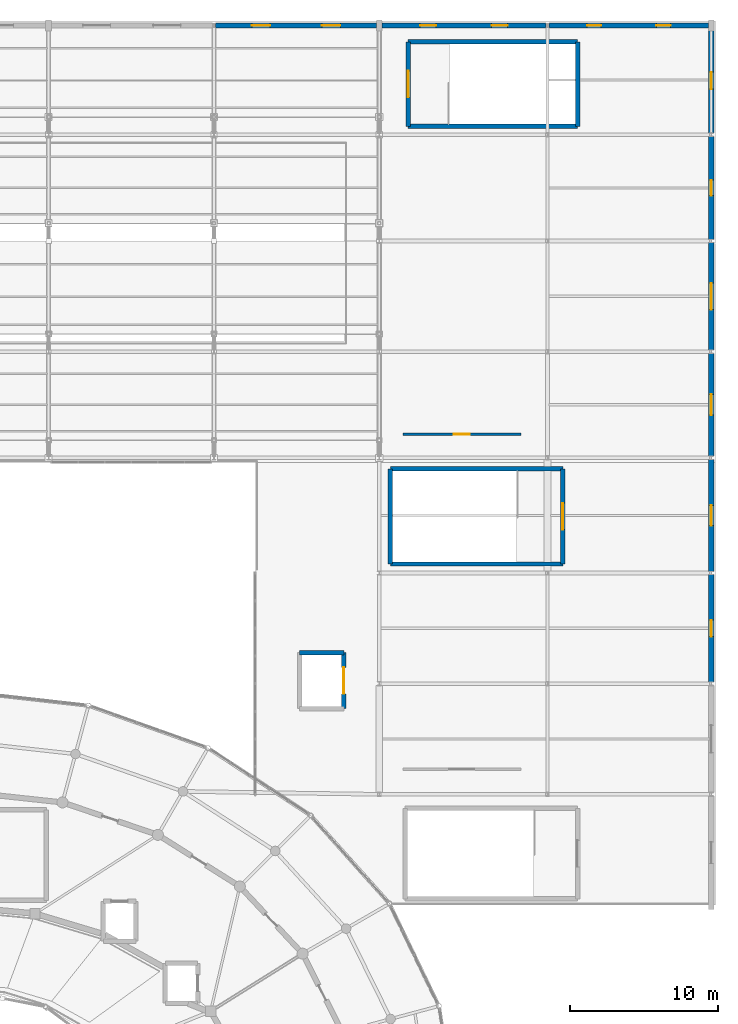
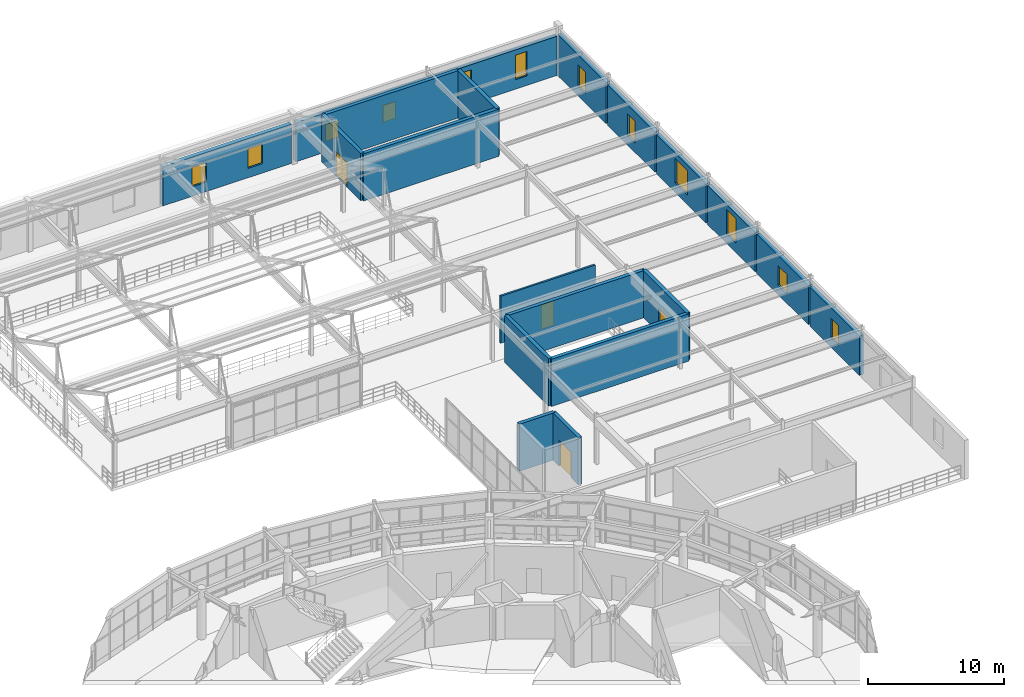
# One storey, part 91 of 112: 20 walls, 12 windows, 4 doors, 16 openings.
"""IFC4 building model written with IfcOpenShell, lengths in metres."""

from ifc_helpers import new_model, si_unit, direction, frame, frame_2d, origin, place, context, subcontext, project, spatial, rectangle, extrude, material, layer, layer_set, type_object, element, fill, save


model = new_model("IFC4")

# Units and contexts
model_context = context("Model", 3, precision=1e-05, world=origin(), true_north=direction((0.0, 1.0)))
body_context = subcontext(model_context, "Body", "Model", "MODEL_VIEW")
ifc_project = project(units=[si_unit("LENGTHUNIT", "METRE"), si_unit("AREAUNIT", "SQUARE_METRE"), si_unit("VOLUMEUNIT", "CUBIC_METRE"), si_unit("PLANEANGLEUNIT", "RADIAN"), si_unit("MASSUNIT", "GRAM", prefix="KILO")], contexts=[model_context])

# Site, building, storey
site_placement = place(None, origin())
site = spatial("IfcSite", under=ifc_project, at=site_placement, CompositionType="ELEMENT")
building_placement = place(site_placement, origin())
building = spatial("IfcBuilding", under=site, at=building_placement, Name="Cinderbank Siding Concert Hall", CompositionType="ELEMENT")
storey_placement = place(building_placement, frame((0.0, 0.0, 10.199951171875)))
storey = spatial("IfcBuildingStorey", under=building, at=storey_placement, Name="L03", CompositionType="ELEMENT", Elevation=10.199951171875)

# Wall, opening, door
ifc_material_1 = material(Name="Reinforced concrete AS 3600 N50 (50 MPa)", Category="concrete")
ifc_layer_1 = layer(ifc_material_1, 0.300048828125)
ifc_layer_set_1 = layer_set([ifc_layer_1], Name="Reinforced concrete AS 3600 N50 (50 MPa)")
wall_type_1 = type_object("IfcWallType", Name="WL-03 Structural Wall 300mm", PredefinedType="SHEAR", material=ifc_layer_set_1)
wall_1_placement = place(storey_placement, frame((152.360107421875, 111.06005859375, 0.0), z_axis=(0.0, 0.0, 1.0), x_axis=(0.0, 1.0, 0.0)))
wall_1 = element("IfcWall", 1, at=wall_1_placement, inside=storey, type_object=wall_type_1, Name="L03 ST-07 Core Wall ENTRY", PredefinedType="SHEAR", context=body_context, shape_type="SweptSolid", body=[
    extrude(rectangle(XDim=5.739990234375, YDim=0.300048828125, at=frame_2d((2.8701171875, 0.0))), origin(), (0.0, 0.0, 1.0), 4.22998046875),
])
opening_1_placement = place(wall_1_placement, frame((1.969970703125, 0.0, 0.0)))
opening_1 = element("IfcOpeningElement", 2, at=opening_1_placement, cuts=wall_1, Name="Opening D-05", PredefinedType="OPENING", context=body_context, shape_type="SweptSolid", body=[
    extrude(rectangle(XDim=1.800048828125, YDim=2.199951171875, at=frame_2d((0.89990234375, 1.10009765625))), frame((0.0, 0.162109375, 0.0), z_axis=(0.0, -1.0, 0.0), x_axis=(1.0, 0.0, 0.0)), (0.0, 0.0, 1.0), 0.323974609375),
])
ifc_material_2 = material(Name="Galvanised sheet steel acoustic fire door assembly", Category="steel")
door_type_1 = type_object("IfcDoorType", Name="D-05 Interior Door 1800x2200", OperationType="DOUBLE_DOOR_SINGLE_SWING", PredefinedType="DOOR", material=ifc_material_2)
door_1_placement = place(opening_1_placement, origin())
door_1 = element("IfcDoor", 3, at=door_1_placement, inside=storey, type_object=door_type_1, Name="L03 ST-07 Fire Stair Door L03-D042", OperationType="DOUBLE_DOOR_SINGLE_SWING", OverallHeight=2.199951171875, OverallWidth=1.800048828125, PredefinedType="DOOR", context=body_context, shape_type="SweptSolid", body=[
    extrude(rectangle(XDim=1.800048828125, YDim=2.199951171875, at=frame_2d((0.89990234375, 1.10009765625))), frame((0.0, 0.02490234375, 0.0), z_axis=(0.0, -1.0, 0.0), x_axis=(1.0, 0.0, 0.0)), (0.0, 0.0, 1.0), 0.050048828125),
])
fill(opening_1, door_1)

# Walls
wall_2_placement = place(storey_placement, frame((163.840087890625, 116.800048828125, 0.0), z_axis=(0.0, 0.0, 1.0), x_axis=(0.0, -1.0, 0.0)))
element("IfcWall", 4, at=wall_2_placement, inside=storey, type_object=wall_type_1, Name="L03 ST-07 Core Wall FAR", PredefinedType="SHEAR", context=body_context, shape_type="SweptSolid", body=[
    extrude(rectangle(XDim=5.739990234375, YDim=0.300048828125, at=frame_2d((2.8701171875, 0.0))), origin(), (0.0, 0.0, 1.0), 4.22998046875),
])
for number, where, z_axis, x_axis, name in (
    (5, (163.840087890625, 111.06005859375, 0.0), (0.0, 0.0, 1.0), (-1.0, 0.0, 0.0), "L03 ST-07 Core Wall SIDE1"),
    (6, (152.360107421875, 116.800048828125, 0.0), (0.0, 0.0, 1.0), (1.0, 0.0, 0.0), "L03 ST-07 Core Wall SIDE2"),
):
    element("IfcWall", number, at=place(storey_placement, frame(where, z_axis=z_axis, x_axis=x_axis)), inside=storey, type_object=wall_type_1, Name=name, PredefinedType="SHEAR", context=body_context, shape_type="SweptSolid", body=[
        extrude(rectangle(XDim=11.47998046875, YDim=0.300048828125, at=frame_2d((5.739990234375, 0.0))), origin(), (0.0, 0.0, 1.0), 4.22998046875),
    ])

# Wall, opening, door
wall_3_placement = place(storey_placement, frame((162.840087890625, 87.85009765625, 0.0), z_axis=(0.0, 0.0, 1.0), x_axis=(0.0, -1.0, 0.0)))
wall_3 = element("IfcWall", 7, at=wall_3_placement, inside=storey, type_object=wall_type_1, Name="L03 ST-11 Core Wall ENTRY", PredefinedType="SHEAR", context=body_context, shape_type="SweptSolid", body=[
    extrude(rectangle(XDim=6.440185546875, YDim=0.300048828125, at=frame_2d((3.22021484375, 0.0))), origin(), (0.0, 0.0, 1.0), 4.22998046875),
])
opening_2_placement = place(wall_3_placement, frame((2.320068359375, 0.0, 0.0)))
opening_2 = element("IfcOpeningElement", 8, at=opening_2_placement, cuts=wall_3, Name="Opening D-05", PredefinedType="OPENING", context=body_context, shape_type="SweptSolid", body=[
    extrude(rectangle(XDim=1.800048828125, YDim=2.199951171875, at=frame_2d((0.89990234375, 1.10009765625))), frame((0.0, 0.162109375, 0.0), z_axis=(0.0, -1.0, 0.0), x_axis=(1.0, 0.0, 0.0)), (0.0, 0.0, 1.0), 0.323974609375),
])
door_2_placement = place(opening_2_placement, origin())
door_2 = element("IfcDoor", 9, at=door_2_placement, inside=storey, type_object=door_type_1, Name="L03 ST-11 Fire Stair Door L03-D057", OperationType="DOUBLE_DOOR_SINGLE_SWING", OverallHeight=2.199951171875, OverallWidth=1.800048828125, PredefinedType="DOOR", context=body_context, shape_type="SweptSolid", body=[
    extrude(rectangle(XDim=1.800048828125, YDim=2.199951171875, at=frame_2d((0.89990234375, 1.10009765625))), frame((0.0, 0.02490234375, 0.0), z_axis=(0.0, -1.0, 0.0), x_axis=(1.0, 0.0, 0.0)), (0.0, 0.0, 1.0), 0.050048828125),
])
fill(opening_2, door_2)

# Walls
wall_4_placement = place(storey_placement, frame((151.159912109375, 81.409912109375, 0.0), z_axis=(0.0, 0.0, 1.0), x_axis=(0.0, 1.0, 0.0)))
element("IfcWall", 10, at=wall_4_placement, inside=storey, type_object=wall_type_1, Name="L03 ST-11 Core Wall FAR", PredefinedType="SHEAR", context=body_context, shape_type="SweptSolid", body=[
    extrude(rectangle(XDim=6.440185546875, YDim=0.300048828125, at=frame_2d((3.22021484375, 0.0))), origin(), (0.0, 0.0, 1.0), 4.22998046875),
])
for number, where, z_axis, x_axis, name in (
    (11, (151.159912109375, 87.85009765625, 0.0), (0.0, 0.0, 1.0), (1.0, 0.0, 0.0), "L03 ST-11 Core Wall SIDE1"),
    (12, (162.840087890625, 81.409912109375, 0.0), (0.0, 0.0, 1.0), (-1.0, 0.0, 0.0), "L03 ST-11 Core Wall SIDE2"),
):
    element("IfcWall", number, at=place(storey_placement, frame(where, z_axis=z_axis, x_axis=x_axis)), inside=storey, type_object=wall_type_1, Name=name, PredefinedType="SHEAR", context=body_context, shape_type="SweptSolid", body=[
        extrude(rectangle(XDim=11.68017578125, YDim=0.300048828125, at=frame_2d((5.840087890625, 0.0))), origin(), (0.0, 0.0, 1.0), 4.22998046875),
    ])

# Wall, opening, door
wall_5_placement = place(storey_placement, frame((148.0, 75.39990234375, 0.0), z_axis=(0.0, 0.0, 1.0), x_axis=(0.0, -1.0, 0.0)))
wall_5 = element("IfcWall", 13, at=wall_5_placement, inside=storey, type_object=wall_type_1, Name="L03 LF-08 Shaft Wall +X", PredefinedType="SHEAR", context=body_context, shape_type="SweptSolid", body=[
    extrude(rectangle(XDim=3.7998046875, YDim=0.300048828125, at=frame_2d((1.89990234375, 0.0))), origin(), (0.0, 0.0, 1.0), 4.22998046875),
])
opening_3_placement = place(wall_5_placement, frame((1.0, 0.0, 0.0)))
opening_3 = element("IfcOpeningElement", 14, at=opening_3_placement, cuts=wall_5, Name="Opening LD-03", PredefinedType="OPENING", context=body_context, shape_type="SweptSolid", body=[
    extrude(rectangle(XDim=1.800048828125, YDim=2.300048828125, at=frame_2d((0.89990234375, 1.14990234375))), frame((0.0, 0.162109375, 0.0), z_axis=(0.0, -1.0, 0.0), x_axis=(1.0, 0.0, 0.0)), (0.0, 0.0, 1.0), 0.323974609375),
])
door_type_2 = type_object("IfcDoorType", Name="LD-03 Interior Door 1800x2300", OperationType="DOUBLE_DOOR_SLIDING", PredefinedType="DOOR", material=ifc_material_2)
door_3_placement = place(opening_3_placement, origin())
door_3 = element("IfcDoor", 15, at=door_3_placement, inside=storey, type_object=door_type_2, Name="L03 LF-08 Sliding Landing Door", OperationType="DOUBLE_DOOR_SLIDING", OverallHeight=2.300048828125, OverallWidth=1.800048828125, PredefinedType="DOOR", context=body_context, shape_type="SweptSolid", body=[
    extrude(rectangle(XDim=1.800048828125, YDim=2.300048828125, at=frame_2d((0.89990234375, 1.14990234375))), frame((0.0, 0.02490234375, 0.0), z_axis=(0.0, -1.0, 0.0), x_axis=(1.0, 0.0, 0.0)), (0.0, 0.0, 1.0), 0.050048828125),
])
fill(opening_3, door_3)

# Wall
wall_6_placement = place(storey_placement, frame((145.0, 75.39990234375, 0.0), z_axis=(0.0, 0.0, 1.0), x_axis=(1.0, 0.0, 0.0)))
element("IfcWall", 16, at=wall_6_placement, inside=storey, type_object=wall_type_1, Name="L03 LF-08 Shaft Wall +Y", PredefinedType="SHEAR", context=body_context, shape_type="SweptSolid", body=[
    extrude(rectangle(XDim=3.0, YDim=0.300048828125, at=frame_2d((1.5, 0.0))), origin(), (0.0, 0.0, 1.0), 4.22998046875),
])

# Wall, openings, windows
ifc_material_3 = material(Name="Clinker clay brickwork masonry AS 3700 (20 MPa)", Category="masonry")
ifc_layer_2 = layer(ifc_material_3, 0.340087890625)
ifc_layer_set_2 = layer_set([ifc_layer_2], Name="Clinker clay brickwork masonry AS 3700 (20 MPa)")
wall_type_2 = type_object("IfcWallType", Name="WL-07 Exterior Wall 340mm", PredefinedType="STANDARD", material=ifc_layer_set_2)
wall_7_placement = place(storey_placement, frame((139.31298828125, 117.89990234375, 0.0), z_axis=(0.0, 0.0, 1.0), x_axis=(1.0, 0.0, 0.0)))
wall_7 = element("IfcWall", 17, at=wall_7_placement, inside=storey, type_object=wall_type_2, Name="L03 Facade Wall EW-V3-N3-L03", PredefinedType="STANDARD", context=body_context, shape_type="SweptSolid", body=[
    extrude(rectangle(XDim=10.902099609375, YDim=0.340087890625, at=frame_2d((5.451171875, 0.0))), origin(), (0.0, 0.0, 1.0), 3.51708984375),
])
opening_4_placement = place(wall_7_placement, frame((2.45556640625, 0.0, 0.85009765625)))
opening_4 = element("IfcOpeningElement", 18, at=opening_4_placement, cuts=wall_7, Name="Opening WN-20", PredefinedType="OPENING", context=body_context, shape_type="SweptSolid", body=[
    extrude(rectangle(XDim=1.239990234375, YDim=1.75, at=frame_2d((0.6201171875, 0.875))), frame((0.0, 0.18212890625, 0.0), z_axis=(0.0, -1.0, 0.0), x_axis=(1.0, 0.0, 0.0)), (0.0, 0.0, 1.0), 0.364013671875),
])
opening_5_placement = place(wall_7_placement, frame((7.20654296875, 0.0, 0.85009765625)))
opening_5 = element("IfcOpeningElement", 19, at=opening_5_placement, cuts=wall_7, Name="Opening WN-20", PredefinedType="OPENING", context=body_context, shape_type="SweptSolid", body=[
    extrude(rectangle(XDim=1.239990234375, YDim=1.75, at=frame_2d((0.6201171875, 0.875))), frame((0.0, 0.18212890625, 0.0), z_axis=(0.0, -1.0, 0.0), x_axis=(1.0, 0.0, 0.0)), (0.0, 0.0, 1.0), 0.364013671875),
])
ifc_material_4 = material(Name="Double-glazed laminated acoustic glass", Category="glass")
window_type_1 = type_object("IfcWindowType", Name="WN-20 Acoustic Casement Window 1240x1750", PartitioningType="DOUBLE_PANEL_VERTICAL", PredefinedType="WINDOW", material=ifc_material_4)
window_1_placement = place(opening_4_placement, origin())
window_1 = element("IfcWindow", 20, at=window_1_placement, inside=storey, type_object=window_type_1, Name="L03 Facade Window #158", OverallHeight=1.75, OverallWidth=1.239990234375, PartitioningType="DOUBLE_PANEL_VERTICAL", PredefinedType="WINDOW", context=body_context, shape_type="SweptSolid", body=[
    extrude(rectangle(XDim=1.239990234375, YDim=1.75, at=frame_2d((0.6201171875, 0.875))), frame((0.0, 0.030029296875, 0.0), z_axis=(0.0, -1.0, 0.0), x_axis=(1.0, 0.0, 0.0)), (0.0, 0.0, 1.0), 0.06005859375),
])
fill(opening_4, window_1)
window_2_placement = place(opening_5_placement, origin())
window_2 = element("IfcWindow", 21, at=window_2_placement, inside=storey, type_object=window_type_1, Name="L03 Facade Window #159", OverallHeight=1.75, OverallWidth=1.239990234375, PartitioningType="DOUBLE_PANEL_VERTICAL", PredefinedType="WINDOW", context=body_context, shape_type="SweptSolid", body=[
    extrude(rectangle(XDim=1.239990234375, YDim=1.75, at=frame_2d((0.6201171875, 0.875))), frame((0.0, 0.030029296875, 0.0), z_axis=(0.0, -1.0, 0.0), x_axis=(1.0, 0.0, 0.0)), (0.0, 0.0, 1.0), 0.06005859375),
])
fill(opening_5, window_2)

wall_8_placement = place(storey_placement, frame((150.5849609375, 117.89990234375, 0.0), z_axis=(0.0, 0.0, 1.0), x_axis=(1.0, 0.0, 0.0)))
wall_8 = element("IfcWall", 22, at=wall_8_placement, inside=storey, type_object=wall_type_2, Name="L03 Facade Wall EW-V3-N4-L03", PredefinedType="STANDARD", context=body_context, shape_type="SweptSolid", body=[
    extrude(rectangle(XDim=11.10205078125, YDim=0.340087890625, at=frame_2d((5.551025390625, 0.0))), origin(), (0.0, 0.0, 1.0), 3.51708984375),
])
opening_6_placement = place(wall_8_placement, frame((2.58544921875, 0.0, 0.85009765625)))
opening_6 = element("IfcOpeningElement", 23, at=opening_6_placement, cuts=wall_8, Name="Opening WN-26", PredefinedType="OPENING", context=body_context, shape_type="SweptSolid", body=[
    extrude(rectangle(XDim=1.080078125, YDim=1.5, at=frame_2d((0.5400390625, 0.75))), frame((0.0, 0.18212890625, 0.0), z_axis=(0.0, -1.0, 0.0), x_axis=(1.0, 0.0, 0.0)), (0.0, 0.0, 1.0), 0.364013671875),
])
opening_7_placement = place(wall_8_placement, frame((7.4365234375, 0.0, 0.85009765625)))
opening_7 = element("IfcOpeningElement", 24, at=opening_7_placement, cuts=wall_8, Name="Opening WN-26", PredefinedType="OPENING", context=body_context, shape_type="SweptSolid", body=[
    extrude(rectangle(XDim=1.080078125, YDim=1.5, at=frame_2d((0.5400390625, 0.75))), frame((0.0, 0.18212890625, 0.0), z_axis=(0.0, -1.0, 0.0), x_axis=(1.0, 0.0, 0.0)), (0.0, 0.0, 1.0), 0.364013671875),
])
window_type_2 = type_object("IfcWindowType", Name="WN-26 Acoustic Casement Window 1080x1500", PartitioningType="DOUBLE_PANEL_VERTICAL", PredefinedType="WINDOW", material=ifc_material_4)
window_3_placement = place(opening_6_placement, origin())
window_3 = element("IfcWindow", 25, at=window_3_placement, inside=storey, type_object=window_type_2, Name="L03 Facade Window #164", OverallHeight=1.5, OverallWidth=1.080078125, PartitioningType="DOUBLE_PANEL_VERTICAL", PredefinedType="WINDOW", context=body_context, shape_type="SweptSolid", body=[
    extrude(rectangle(XDim=1.080078125, YDim=1.5, at=frame_2d((0.5400390625, 0.75))), frame((0.0, 0.030029296875, 0.0), z_axis=(0.0, -1.0, 0.0), x_axis=(1.0, 0.0, 0.0)), (0.0, 0.0, 1.0), 0.06005859375),
])
fill(opening_6, window_3)
window_4_placement = place(opening_7_placement, origin())
window_4 = element("IfcWindow", 26, at=window_4_placement, inside=storey, type_object=window_type_2, Name="L03 Facade Window #165", OverallHeight=1.5, OverallWidth=1.080078125, PartitioningType="DOUBLE_PANEL_VERTICAL", PredefinedType="WINDOW", context=body_context, shape_type="SweptSolid", body=[
    extrude(rectangle(XDim=1.080078125, YDim=1.5, at=frame_2d((0.5400390625, 0.75))), frame((0.0, 0.030029296875, 0.0), z_axis=(0.0, -1.0, 0.0), x_axis=(1.0, 0.0, 0.0)), (0.0, 0.0, 1.0), 0.06005859375),
])
fill(opening_7, window_4)

wall_9_placement = place(storey_placement, frame((161.9130859375, 117.89990234375, 0.0), z_axis=(0.0, 0.0, 1.0), x_axis=(1.0, 0.0, 0.0)))
wall_9 = element("IfcWall", 27, at=wall_9_placement, inside=storey, type_object=wall_type_2, Name="L03 Facade Wall EW-V3-N5-L03", PredefinedType="STANDARD", context=body_context, shape_type="SweptSolid", body=[
    extrude(rectangle(XDim=10.802001953125, YDim=0.340087890625, at=frame_2d((5.40087890625, 0.0))), origin(), (0.0, 0.0, 1.0), 3.51708984375),
])
opening_8_placement = place(wall_9_placement, frame((2.575439453125, 0.0, 0.85009765625)))
opening_8 = element("IfcOpeningElement", 28, at=opening_8_placement, cuts=wall_9, Name="Opening WN-02", PredefinedType="OPENING", context=body_context, shape_type="SweptSolid", body=[
    extrude(rectangle(XDim=0.949951171875, YDim=2.199951171875, at=frame_2d((0.47509765625, 1.10009765625))), frame((0.0, 0.18212890625, 0.0), z_axis=(0.0, -1.0, 0.0), x_axis=(1.0, 0.0, 0.0)), (0.0, 0.0, 1.0), 0.364013671875),
])
opening_9_placement = place(wall_9_placement, frame((7.276611328125, 0.0, 0.85009765625)))
opening_9 = element("IfcOpeningElement", 29, at=opening_9_placement, cuts=wall_9, Name="Opening WN-02", PredefinedType="OPENING", context=body_context, shape_type="SweptSolid", body=[
    extrude(rectangle(XDim=0.949951171875, YDim=2.199951171875, at=frame_2d((0.47509765625, 1.10009765625))), frame((0.0, 0.18212890625, 0.0), z_axis=(0.0, -1.0, 0.0), x_axis=(1.0, 0.0, 0.0)), (0.0, 0.0, 1.0), 0.364013671875),
])
window_type_3 = type_object("IfcWindowType", Name="WN-02 Acoustic Casement Window 950x2200", PartitioningType="DOUBLE_PANEL_VERTICAL", PredefinedType="WINDOW", material=ifc_material_4)
window_5_placement = place(opening_8_placement, origin())
window_5 = element("IfcWindow", 30, at=window_5_placement, inside=storey, type_object=window_type_3, Name="L03 Facade Window #170", OverallHeight=2.199951171875, OverallWidth=0.949951171875, PartitioningType="DOUBLE_PANEL_VERTICAL", PredefinedType="WINDOW", context=body_context, shape_type="SweptSolid", body=[
    extrude(rectangle(XDim=0.949951171875, YDim=2.199951171875, at=frame_2d((0.47509765625, 1.10009765625))), frame((0.0, 0.030029296875, 0.0), z_axis=(0.0, -1.0, 0.0), x_axis=(1.0, 0.0, 0.0)), (0.0, 0.0, 1.0), 0.06005859375),
])
fill(opening_8, window_5)
window_6_placement = place(opening_9_placement, origin())
window_6 = element("IfcWindow", 31, at=window_6_placement, inside=storey, type_object=window_type_3, Name="L03 Facade Window #171", OverallHeight=2.199951171875, OverallWidth=0.949951171875, PartitioningType="DOUBLE_PANEL_VERTICAL", PredefinedType="WINDOW", context=body_context, shape_type="SweptSolid", body=[
    extrude(rectangle(XDim=0.949951171875, YDim=2.199951171875, at=frame_2d((0.47509765625, 1.10009765625))), frame((0.0, 0.030029296875, 0.0), z_axis=(0.0, -1.0, 0.0), x_axis=(1.0, 0.0, 0.0)), (0.0, 0.0, 1.0), 0.06005859375),
])
fill(opening_9, window_6)

# Wall, opening, window
wall_10_placement = place(storey_placement, frame((172.89990234375, 95.68701171875, 0.0), z_axis=(0.0, 0.0, 1.0), x_axis=(0.0, -1.0, 0.0)))
wall_10 = element("IfcWall", 32, at=wall_10_placement, inside=storey, type_object=wall_type_2, Name="L03 Facade Wall EW-V3-E1-L03", PredefinedType="STANDARD", context=body_context, shape_type="SweptSolid", body=[
    extrude(rectangle(XDim=6.97412109375, YDim=0.340087890625, at=frame_2d((3.487060546875, 0.0))), origin(), (0.0, 0.0, 1.0), 3.51708984375),
])
opening_10_placement = place(wall_10_placement, frame((2.787109375, 0.0, 0.85009765625)))
opening_10 = element("IfcOpeningElement", 33, at=opening_10_placement, cuts=wall_10, Name="Opening WN-06", PredefinedType="OPENING", context=body_context, shape_type="SweptSolid", body=[
    extrude(rectangle(XDim=1.39990234375, YDim=2.199951171875, at=frame_2d((0.699951171875, 1.10009765625))), frame((0.0, 0.18212890625, 0.0), z_axis=(0.0, -1.0, 0.0), x_axis=(1.0, 0.0, 0.0)), (0.0, 0.0, 1.0), 0.364013671875),
])
window_type_4 = type_object("IfcWindowType", Name="WN-06 Acoustic Casement Window 1400x2200", PartitioningType="DOUBLE_PANEL_VERTICAL", PredefinedType="WINDOW", material=ifc_material_4)
window_7_placement = place(opening_10_placement, origin())
window_7 = element("IfcWindow", 34, at=window_7_placement, inside=storey, type_object=window_type_4, Name="L03 Facade Window #174", OverallHeight=2.199951171875, OverallWidth=1.39990234375, PartitioningType="DOUBLE_PANEL_VERTICAL", PredefinedType="WINDOW", context=body_context, shape_type="SweptSolid", body=[
    extrude(rectangle(XDim=1.39990234375, YDim=2.199951171875, at=frame_2d((0.699951171875, 1.10009765625))), frame((0.0, 0.030029296875, 0.0), z_axis=(0.0, -1.0, 0.0), x_axis=(1.0, 0.0, 0.0)), (0.0, 0.0, 1.0), 0.06005859375),
])
fill(opening_10, window_7)

wall_11_placement = place(storey_placement, frame((172.89990234375, 103.18701171875, 0.0), z_axis=(0.0, 0.0, 1.0), x_axis=(0.0, -1.0, 0.0)))
wall_11 = element("IfcWall", 35, at=wall_11_placement, inside=storey, type_object=wall_type_2, Name="L03 Facade Wall EW-V3-E2-L03", PredefinedType="STANDARD", context=body_context, shape_type="SweptSolid", body=[
    extrude(rectangle(XDim=7.27392578125, YDim=0.340087890625, at=frame_2d((3.636962890625, 0.0))), origin(), (0.0, 0.0, 1.0), 3.51708984375),
])
opening_11_placement = place(wall_11_placement, frame((2.737060546875, 0.0, 0.85009765625)))
opening_11 = element("IfcOpeningElement", 36, at=opening_11_placement, cuts=wall_11, Name="Opening WN-08", PredefinedType="OPENING", context=body_context, shape_type="SweptSolid", body=[
    extrude(rectangle(XDim=1.800048828125, YDim=2.199951171875, at=frame_2d((0.89990234375, 1.10009765625))), frame((0.0, 0.18212890625, 0.0), z_axis=(0.0, -1.0, 0.0), x_axis=(1.0, 0.0, 0.0)), (0.0, 0.0, 1.0), 0.364013671875),
])
window_type_5 = type_object("IfcWindowType", Name="WN-08 Acoustic Casement Window 1800x2200", PartitioningType="DOUBLE_PANEL_VERTICAL", PredefinedType="WINDOW", material=ifc_material_4)
window_8_placement = place(opening_11_placement, origin())
window_8 = element("IfcWindow", 37, at=window_8_placement, inside=storey, type_object=window_type_5, Name="L03 Facade Window #176", OverallHeight=2.199951171875, OverallWidth=1.800048828125, PartitioningType="DOUBLE_PANEL_VERTICAL", PredefinedType="WINDOW", context=body_context, shape_type="SweptSolid", body=[
    extrude(rectangle(XDim=1.800048828125, YDim=2.199951171875, at=frame_2d((0.89990234375, 1.10009765625))), frame((0.0, 0.030029296875, 0.0), z_axis=(0.0, -1.0, 0.0), x_axis=(1.0, 0.0, 0.0)), (0.0, 0.0, 1.0), 0.06005859375),
])
fill(opening_11, window_8)

wall_12_placement = place(storey_placement, frame((172.89990234375, 110.386962890625, 0.0), z_axis=(0.0, 0.0, 1.0), x_axis=(0.0, -1.0, 0.0)))
wall_12 = element("IfcWall", 38, at=wall_12_placement, inside=storey, type_object=wall_type_2, Name="L03 Facade Wall EW-V3-E3-L03", PredefinedType="STANDARD", context=body_context, shape_type="SweptSolid", body=[
    extrude(rectangle(XDim=6.973876953125, YDim=0.340087890625, at=frame_2d((3.48681640625, 0.0))), origin(), (0.0, 0.0, 1.0), 3.61474609375),
])
opening_12_placement = place(wall_12_placement, frame((2.9619140625, 0.0, 0.85009765625)))
opening_12 = element("IfcOpeningElement", 39, at=opening_12_placement, cuts=wall_12, Name="Opening WN-11", PredefinedType="OPENING", context=body_context, shape_type="SweptSolid", body=[
    extrude(rectangle(XDim=1.050048828125, YDim=1.949951171875, at=frame_2d((0.52490234375, 0.97509765625))), frame((0.0, 0.18212890625, 0.0), z_axis=(0.0, -1.0, 0.0), x_axis=(1.0, 0.0, 0.0)), (0.0, 0.0, 1.0), 0.364013671875),
])
window_type_6 = type_object("IfcWindowType", Name="WN-11 Acoustic Casement Window 1050x1950", PartitioningType="DOUBLE_PANEL_VERTICAL", PredefinedType="WINDOW", material=ifc_material_4)
window_9_placement = place(opening_12_placement, origin())
window_9 = element("IfcWindow", 40, at=window_9_placement, inside=storey, type_object=window_type_6, Name="L03 Facade Window #179", OverallHeight=1.949951171875, OverallWidth=1.050048828125, PartitioningType="DOUBLE_PANEL_VERTICAL", PredefinedType="WINDOW", context=body_context, shape_type="SweptSolid", body=[
    extrude(rectangle(XDim=1.050048828125, YDim=1.949951171875, at=frame_2d((0.52490234375, 0.97509765625))), frame((0.0, 0.030029296875, 0.0), z_axis=(0.0, -1.0, 0.0), x_axis=(1.0, 0.0, 0.0)), (0.0, 0.0, 1.0), 0.06005859375),
])
fill(opening_12, window_9)

wall_13_placement = place(storey_placement, frame((172.89990234375, 117.715087890625, 0.0), z_axis=(0.0, 0.0, 1.0), x_axis=(0.0, -1.0, 0.0)))
wall_13 = element("IfcWall", 41, at=wall_13_placement, inside=storey, type_object=wall_type_2, Name="L03 Facade Wall EW-V3-E4-L03", PredefinedType="STANDARD", context=body_context, shape_type="SweptSolid", body=[
    extrude(rectangle(XDim=7.10205078125, YDim=0.340087890625, at=frame_2d((3.551025390625, 0.0))), origin(), (0.0, 0.0, 1.0), 3.68896484375),
])
opening_13_placement = place(wall_13_placement, frame((2.97607421875, 0.0, 0.85009765625)))
opening_13 = element("IfcOpeningElement", 42, at=opening_13_placement, cuts=wall_13, Name="Opening WN-12", PredefinedType="OPENING", context=body_context, shape_type="SweptSolid", body=[
    extrude(rectangle(XDim=1.14990234375, YDim=1.949951171875, at=frame_2d((0.574951171875, 0.97509765625))), frame((0.0, 0.18212890625, 0.0), z_axis=(0.0, -1.0, 0.0), x_axis=(1.0, 0.0, 0.0)), (0.0, 0.0, 1.0), 0.364013671875),
])
window_type_7 = type_object("IfcWindowType", Name="WN-12 Acoustic Casement Window 1150x1950", PartitioningType="DOUBLE_PANEL_VERTICAL", PredefinedType="WINDOW", material=ifc_material_4)
window_10_placement = place(opening_13_placement, origin())
window_10 = element("IfcWindow", 43, at=window_10_placement, inside=storey, type_object=window_type_7, Name="L03 Facade Window #180", OverallHeight=1.949951171875, OverallWidth=1.14990234375, PartitioningType="DOUBLE_PANEL_VERTICAL", PredefinedType="WINDOW", context=body_context, shape_type="SweptSolid", body=[
    extrude(rectangle(XDim=1.14990234375, YDim=1.949951171875, at=frame_2d((0.574951171875, 0.97509765625))), frame((0.0, 0.030029296875, 0.0), z_axis=(0.0, -1.0, 0.0), x_axis=(1.0, 0.0, 0.0)), (0.0, 0.0, 1.0), 0.06005859375),
])
fill(opening_13, window_10)

wall_14_placement = place(storey_placement, frame((172.89990234375, 80.68798828125, 0.0), z_axis=(0.0, 0.0, 1.0), x_axis=(0.0, -1.0, 0.0)))
wall_14 = element("IfcWall", 44, at=wall_14_placement, inside=storey, type_object=wall_type_2, Name="L03 Facade Wall EW-EL-E2-L03", PredefinedType="STANDARD", context=body_context, shape_type="SweptSolid", body=[
    extrude(rectangle(XDim=7.27587890625, YDim=0.340087890625, at=frame_2d((3.637939453125, 0.0))), origin(), (0.0, 0.0, 1.0), 3.51708984375),
])
opening_14_placement = place(wall_14_placement, frame((3.077880859375, 0.0, 0.85009765625)))
opening_14 = element("IfcOpeningElement", 45, at=opening_14_placement, cuts=wall_14, Name="Opening WN-19", PredefinedType="OPENING", context=body_context, shape_type="SweptSolid", body=[
    extrude(rectangle(XDim=1.1201171875, YDim=1.75, at=frame_2d((0.56005859375, 0.875))), frame((0.0, 0.18212890625, 0.0), z_axis=(0.0, -1.0, 0.0), x_axis=(1.0, 0.0, 0.0)), (0.0, 0.0, 1.0), 0.364013671875),
])
window_type_8 = type_object("IfcWindowType", Name="WN-19 Acoustic Casement Window 1120x1750", PartitioningType="DOUBLE_PANEL_VERTICAL", PredefinedType="WINDOW", material=ifc_material_4)
window_11_placement = place(opening_14_placement, origin())
window_11 = element("IfcWindow", 46, at=window_11_placement, inside=storey, type_object=window_type_8, Name="L03 Facade Window #187", OverallHeight=1.75, OverallWidth=1.1201171875, PartitioningType="DOUBLE_PANEL_VERTICAL", PredefinedType="WINDOW", context=body_context, shape_type="SweptSolid", body=[
    extrude(rectangle(XDim=1.1201171875, YDim=1.75, at=frame_2d((0.56005859375, 0.875))), frame((0.0, 0.030029296875, 0.0), z_axis=(0.0, -1.0, 0.0), x_axis=(1.0, 0.0, 0.0)), (0.0, 0.0, 1.0), 0.06005859375),
])
fill(opening_14, window_11)

wall_15_placement = place(storey_placement, frame((172.89990234375, 88.487060546875, 0.0), z_axis=(0.0, 0.0, 1.0), x_axis=(0.0, -1.0, 0.0)))
wall_15 = element("IfcWall", 47, at=wall_15_placement, inside=storey, type_object=wall_type_2, Name="L03 Facade Wall EW-EL-E3-L03", PredefinedType="STANDARD", context=body_context, shape_type="SweptSolid", body=[
    extrude(rectangle(XDim=7.574951171875, YDim=0.340087890625, at=frame_2d((3.78759765625, 0.0))), origin(), (0.0, 0.0, 1.0), 3.51708984375),
])
opening_15_placement = place(wall_15_placement, frame((3.097412109375, 0.0, 0.85009765625)))
opening_15 = element("IfcOpeningElement", 48, at=opening_15_placement, cuts=wall_15, Name="Opening WN-21", PredefinedType="OPENING", context=body_context, shape_type="SweptSolid", body=[
    extrude(rectangle(XDim=1.3798828125, YDim=1.75, at=frame_2d((0.68994140625, 0.875))), frame((0.0, 0.18212890625, 0.0), z_axis=(0.0, -1.0, 0.0), x_axis=(1.0, 0.0, 0.0)), (0.0, 0.0, 1.0), 0.364013671875),
])
window_type_9 = type_object("IfcWindowType", Name="WN-21 Acoustic Casement Window 1380x1750", PartitioningType="DOUBLE_PANEL_VERTICAL", PredefinedType="WINDOW", material=ifc_material_4)
window_12_placement = place(opening_15_placement, origin())
window_12 = element("IfcWindow", 49, at=window_12_placement, inside=storey, type_object=window_type_9, Name="L03 Facade Window #189", OverallHeight=1.75, OverallWidth=1.3798828125, PartitioningType="DOUBLE_PANEL_VERTICAL", PredefinedType="WINDOW", context=body_context, shape_type="SweptSolid", body=[
    extrude(rectangle(XDim=1.3798828125, YDim=1.75, at=frame_2d((0.68994140625, 0.875))), frame((0.0, 0.030029296875, 0.0), z_axis=(0.0, -1.0, 0.0), x_axis=(1.0, 0.0, 0.0)), (0.0, 0.0, 1.0), 0.06005859375),
])
fill(opening_15, window_12)

# Wall, opening, door
ifc_material_5 = material(Name="Acoustic plasterboard on light-gauge steel studs", Category="gypsum")
ifc_layer_3 = layer(ifc_material_5, 0.159912109375)
ifc_layer_set_3 = layer_set([ifc_layer_3], Name="Acoustic plasterboard on light-gauge steel studs")
wall_type_3 = type_object("IfcWallType", Name="WL-14 Interior Wall 160mm", PredefinedType="PARTITIONING", material=ifc_layer_set_3)
wall_16_placement = place(storey_placement, frame((152.0, 90.199951171875, 0.0), z_axis=(0.0, 0.0, 1.0), x_axis=(1.0, 0.0, 0.0)))
wall_16 = element("IfcWall", 50, at=wall_16_placement, inside=storey, type_object=wall_type_3, Name="L03 Partition Notation Prep Studio", PredefinedType="PARTITIONING", context=body_context, shape_type="SweptSolid", body=[
    extrude(rectangle(XDim=8.0, YDim=0.159912109375, at=frame_2d((4.0, 0.0))), origin(), (0.0, 0.0, 1.0), 4.215087890625),
])
opening_16_placement = place(wall_16_placement, frame((3.449951171875, 0.0, 0.0)))
opening_16 = element("IfcOpeningElement", 51, at=opening_16_placement, cuts=wall_16, Name="Opening D-04", PredefinedType="OPENING", context=body_context, shape_type="SweptSolid", body=[
    extrude(rectangle(XDim=1.10009765625, YDim=2.199951171875, at=frame_2d((0.550048828125, 1.10009765625))), frame((0.0, 0.091796875, 0.0), z_axis=(0.0, -1.0, 0.0), x_axis=(1.0, 0.0, 0.0)), (0.0, 0.0, 1.0), 0.183837890625),
])
ifc_material_6 = material(Name="Solid-core spotted gum acoustic timber", Category="wood")
door_type_3 = type_object("IfcDoorType", Name="D-04 Interior Door 1100x2200", OperationType="NOTDEFINED", PredefinedType="DOOR", material=ifc_material_6)
door_4_placement = place(opening_16_placement, origin())
door_4 = element("IfcDoor", 52, at=door_4_placement, inside=storey, type_object=door_type_3, Name="L03 Notation Prep Studio Door L03-D273", OperationType="SINGLE_SWING_RIGHT", OverallHeight=2.199951171875, OverallWidth=1.10009765625, PredefinedType="DOOR", context=body_context, shape_type="SweptSolid", body=[
    extrude(rectangle(XDim=1.10009765625, YDim=2.199951171875, at=frame_2d((0.550048828125, 1.10009765625))), frame((0.0, 0.02490234375, 0.0), z_axis=(0.0, -1.0, 0.0), x_axis=(1.0, 0.0, 0.0)), (0.0, 0.0, 1.0), 0.050048828125),
])
fill(opening_16, door_4)

save(model, "model.ifc")
